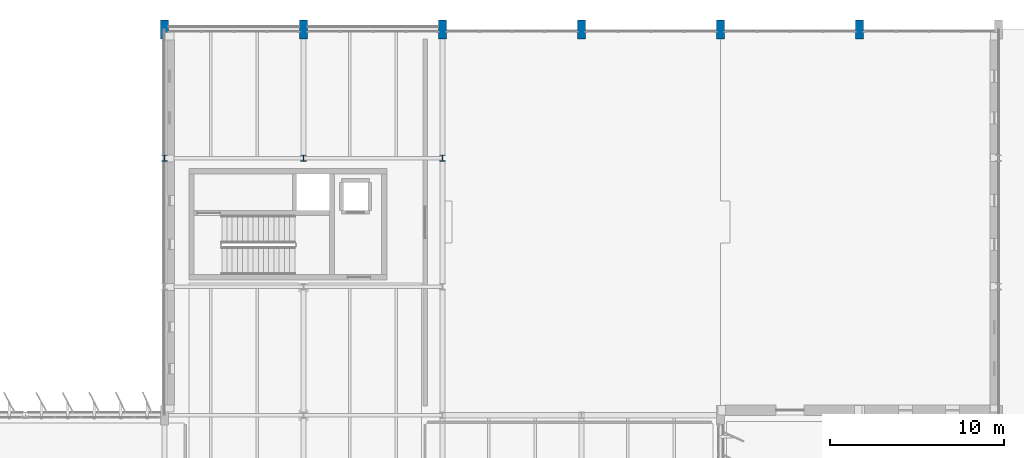
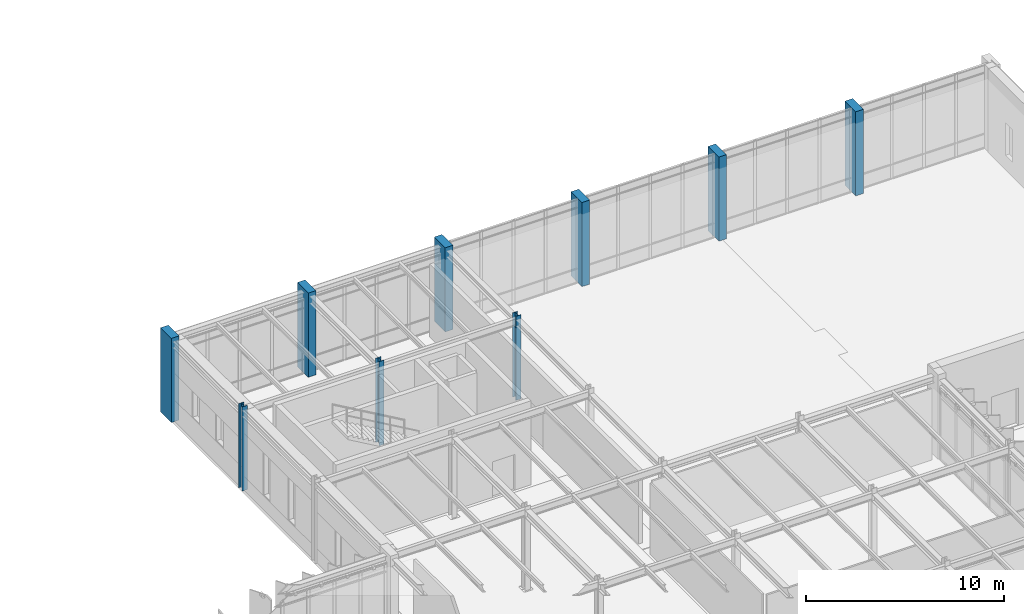
# One storey, part 5 of 48: 9 columns.
"""IFC4 building model written with IfcOpenShell, lengths in metres."""

from ifc_helpers import new_model, si_unit, direction, frame, origin, origin_2d, place, context, subcontext, project, spatial, rectangle, i_section, extrude, material, material_profile, profile_set, type_object, element, save


model = new_model("IFC4")

# Units and contexts
model_context = context("Model", 3, precision=1e-05, world=origin(), true_north=direction((0.0, 1.0)))
body_context = subcontext(model_context, "Body", "Model", "MODEL_VIEW")
ifc_project = project(units=[si_unit("LENGTHUNIT", "METRE"), si_unit("AREAUNIT", "SQUARE_METRE"), si_unit("VOLUMEUNIT", "CUBIC_METRE"), si_unit("PLANEANGLEUNIT", "RADIAN"), si_unit("MASSUNIT", "GRAM", prefix="KILO")], contexts=[model_context])

# Site, building, storey
site_placement = place(None, origin())
site = spatial("IfcSite", under=ifc_project, at=site_placement, CompositionType="ELEMENT")
building_placement = place(site_placement, origin())
building = spatial("IfcBuilding", under=site, at=building_placement, Name="Valkorina Park Police Headquarters", CompositionType="ELEMENT")
storey_placement = place(building_placement, frame((0.0, 0.0, 18.10009765625)))
storey = spatial("IfcBuildingStorey", under=building, at=storey_placement, Name="L05", CompositionType="ELEMENT", Elevation=18.10009765625)

# Columns
ifc_material_1 = material(Name="Concrete C40/50", Category="concrete")
ifc_material_profile_1 = material_profile(ifc_material_1, rectangle(XDim=0.449951171875, YDim=1.10009765625, at=origin_2d()), Name="RC PIER 450x1100")
ifc_profile_set_1 = profile_set([ifc_material_profile_1], Name="Concrete C40/50")
column_type_1 = type_object("IfcColumnType", Name="COL-RC-PIER-EXT", PredefinedType="PILASTER", material=ifc_profile_set_1)
for number, where, z_axis, x_axis, name in (
    (1, (80.800048828125, 81.39990234375, 0.0), (0.0, 0.0, 1.0), (1.0, 0.0, 0.0), "L05 Column 0996"),
    (2, (88.800048828125, 81.39990234375, 0.0), (0.0, 0.0, 1.0), (1.0, 0.0, 0.0), "L05 Column 1003"),
    (3, (96.800048828125, 81.39990234375, 0.0), (0.0, 0.0, 1.0), (1.0, 0.0, 0.0), "L05 Column 1010"),
    (4, (104.800048828125, 81.39990234375, 0.0), (0.0, 0.0, 1.0), (1.0, 0.0, 0.0), "L05 Column 1015"),
    (5, (112.800048828125, 81.39990234375, 0.0), (0.0, 0.0, 1.0), (1.0, 0.0, 0.0), "L05 Column 1020"),
    (6, (120.800048828125, 81.39990234375, 0.0), (0.0, 0.0, 1.0), (1.0, 0.0, 0.0), "L05 Column 1022"),
):
    element("IfcColumn", number, at=place(storey_placement, frame(where, z_axis=z_axis, x_axis=x_axis)), inside=storey, type_object=column_type_1, Name=name, PredefinedType="PILASTER", context=body_context, shape_type="SweptSolid", body=[
        extrude(rectangle(XDim=0.449951171875, YDim=1.10009765625, at=origin_2d()), origin(), (0.0, 0.0, 1.0), 5.199951171875),
    ])
ifc_material_2 = material(Name="Steel S355", Category="steel")
ifc_material_profile_2 = material_profile(ifc_material_2, i_section(OverallWidth=0.300048828125, OverallDepth=0.360107421875, WebThickness=0.012451171875, FlangeThickness=0.0224609375, FilletRadius=0.027099609375, at=origin_2d()), Name="HEB 360")
ifc_profile_set_2 = profile_set([ifc_material_profile_2], Name="Steel S355")
column_type_2 = type_object("IfcColumnType", Name="COL-S355-HEB360-EXT", PredefinedType="COLUMN", material=ifc_profile_set_2)
column_placement = place(storey_placement, frame((80.800048828125, 74.0, 0.0), z_axis=(0.0, 0.0, 1.0), x_axis=(1.0, 0.0, 0.0)))
element("IfcColumn", 7, at=column_placement, inside=storey, type_object=column_type_2, Name="L05 Column 0995", PredefinedType="COLUMN", context=body_context, shape_type="SweptSolid", body=[
    extrude(i_section(OverallWidth=0.300048828125, OverallDepth=0.360107421875, WebThickness=0.012451171875, FlangeThickness=0.0224609375, FilletRadius=0.027099609375, at=origin_2d()), origin(), (0.0, 0.0, 1.0), 5.199951171875),
])
ifc_material_profile_3 = material_profile(ifc_material_2, i_section(OverallWidth=0.300048828125, OverallDepth=0.360107421875, WebThickness=0.012451171875, FlangeThickness=0.0224609375, FilletRadius=0.027099609375, at=origin_2d()), Name="HEB 360")
ifc_profile_set_3 = profile_set([ifc_material_profile_3], Name="Steel S355")
column_type_3 = type_object("IfcColumnType", Name="COL-S355-HEB360-INT", PredefinedType="COLUMN", material=ifc_profile_set_3)
for number, where, z_axis, x_axis, name in (
    (8, (88.800048828125, 74.0, 0.0), (0.0, 0.0, 1.0), (1.0, 0.0, 0.0), "L05 Column 1002"),
    (9, (96.800048828125, 74.0, 0.0), (0.0, 0.0, 1.0), (1.0, 0.0, 0.0), "L05 Column 1009"),
):
    element("IfcColumn", number, at=place(storey_placement, frame(where, z_axis=z_axis, x_axis=x_axis)), inside=storey, type_object=column_type_3, Name=name, PredefinedType="COLUMN", context=body_context, shape_type="SweptSolid", body=[
        extrude(i_section(OverallWidth=0.300048828125, OverallDepth=0.360107421875, WebThickness=0.012451171875, FlangeThickness=0.0224609375, FilletRadius=0.027099609375, at=origin_2d()), origin(), (0.0, 0.0, 1.0), 5.199951171875),
    ])

save(model, "model.ifc")
